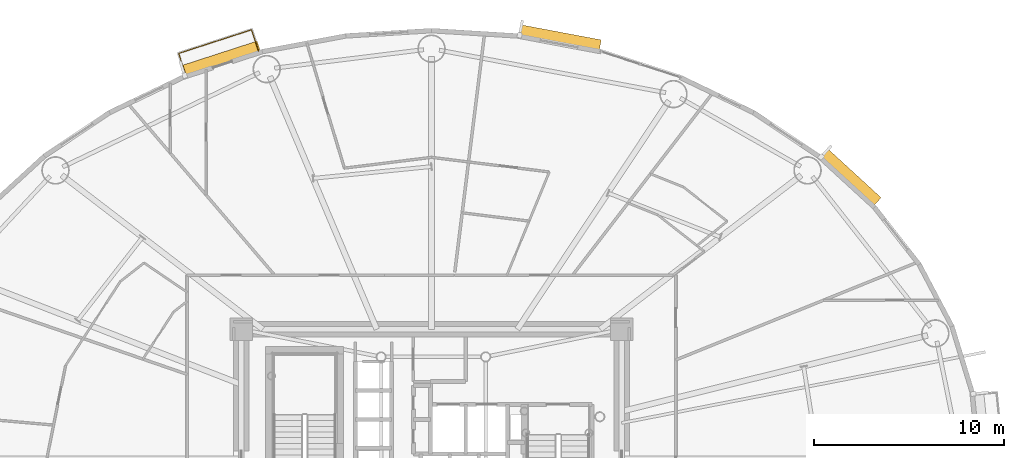
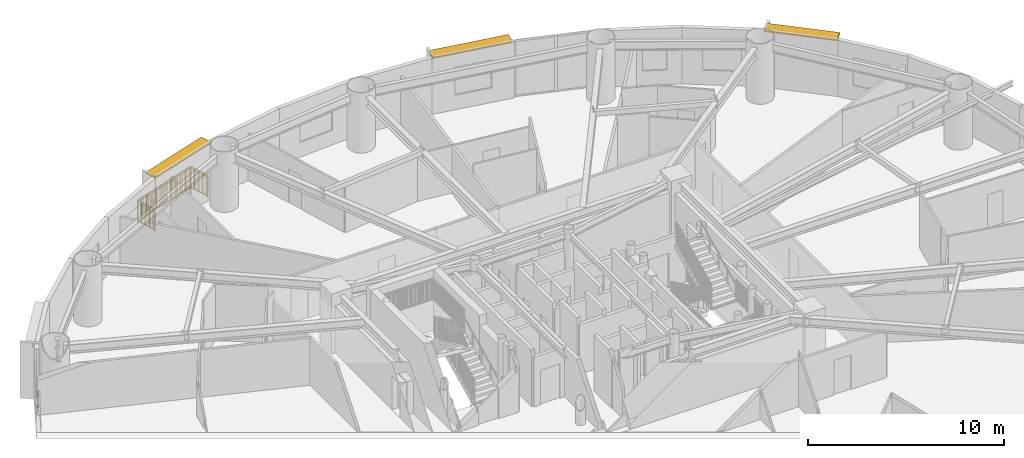
# One storey, part 21 of 21: 3 shading devices, 1 railing.
"""IFC4 building model written with IfcOpenShell, lengths in metres."""

import ifcopenshell
import ifcopenshell.guid

model = None  # the IFC model being written
_history = None  # IfcOwnerHistory: only IFC2X3 demands one
_inside = {}  # id of a spatial element -> (the spatial element, [elements in it])
_under = {}  # id of a project, library or spatial element -> (it, [spatial elements below it])
_declared = {}  # id of a project -> (the project, [libraries it declares])
_typed = {}  # id of a type object -> (the type object, [elements of that type])
_made_of = {}  # id of a material, layer set ... -> (it, [elements and type objects made of it])


def new_model(schema):
    """Start an empty IFC model of exactly this schema.

    Asked for "IFC4X3", IfcOpenShell would pick the latest addendum, in which some entities
    have other attributes; the version numbers below select the first issue.
    IFC2X3 requires an IfcOwnerHistory on every rooted entity: one is made here for all.
    """
    global model, _history
    if schema == "IFC4X3":
        model = ifcopenshell.file(schema_version=(4, 3, 0, 0))
    else:
        model = ifcopenshell.file(schema=schema)
    _inside.clear()
    _under.clear()
    _declared.clear()
    _typed.clear()
    _made_of.clear()
    _history = None
    if model.schema == "IFC2X3":
        org = make("IfcOrganization", Name="unknown")
        user = make(
            "IfcPersonAndOrganization",
            ThePerson=make("IfcPerson", FamilyName="unknown"),
            TheOrganization=org,
        )
        app = make(
            "IfcApplication",
            ApplicationDeveloper=org,
            Version="unknown",
            ApplicationFullName="unknown",
            ApplicationIdentifier="unknown",
        )
        _history = make(
            "IfcOwnerHistory",
            OwningUser=user,
            OwningApplication=app,
            ChangeAction="ADDED",
            CreationDate=0,
        )
    return model


def make(cls, **values):
    """One entity of the class cls with the attributes given. An attribute that is None is left unset."""
    return model.create_entity(
        cls, **{name: value for name, value in values.items() if value is not None}
    )


def rooted(cls, **values):
    """An entity with a GlobalId (a new one), such as an element, a storey or a relation."""
    return make(cls, GlobalId=ifcopenshell.guid.new(), OwnerHistory=_history, **values)


def si_unit(unit_type, name, prefix=None):
    """IfcSIUnit, for example si_unit("LENGTHUNIT", "METRE", prefix="MILLI")."""
    return make("IfcSIUnit", UnitType=unit_type, Prefix=prefix, Name=name)


def assignment(units):
    """IfcUnitAssignment: the units of a project."""
    return None if units is None else make("IfcUnitAssignment", Units=units)


def point(xyz):
    """IfcCartesianPoint."""
    return None if xyz is None else make("IfcCartesianPoint", Coordinates=xyz)


def direction(xyz):
    """IfcDirection."""
    return None if xyz is None else make("IfcDirection", DirectionRatios=xyz)


def frame(location, z_axis=None, x_axis=None):
    """IfcAxis2Placement3D, a coordinate frame: its origin and axes. An axis left out is left unset."""
    return make(
        "IfcAxis2Placement3D",
        Location=point(location),
        Axis=direction(z_axis),
        RefDirection=direction(x_axis),
    )


def frame_2d(location, x_axis=None):
    """IfcAxis2Placement2D, a coordinate frame in the plane: its origin and x axis."""
    return make(
        "IfcAxis2Placement2D", Location=point(location), RefDirection=direction(x_axis)
    )


def origin():
    """The frame at (0, 0, 0) with its axes left unset."""
    return frame((0.0, 0.0, 0.0))


def origin_2d():
    """The frame at (0, 0) in the plane with its x axis left unset."""
    return frame_2d((0.0, 0.0))


def place(relative_to, where):
    """IfcLocalPlacement: puts the frame where relative to a parent placement (None: the world)."""
    return make(
        "IfcLocalPlacement", PlacementRelTo=relative_to, RelativePlacement=where
    )


def context(
    kind, dimensions, precision=None, world=None, true_north=None, identifier=None
):
    """IfcGeometricRepresentationContext, for example the 3D "Model" context."""
    return make(
        "IfcGeometricRepresentationContext",
        ContextIdentifier=identifier,
        ContextType=kind,
        CoordinateSpaceDimension=dimensions,
        Precision=precision,
        WorldCoordinateSystem=world,
        TrueNorth=true_north,
    )


def subcontext(parent, identifier, kind, view, scale=None):
    """IfcGeometricRepresentationSubContext, for example "Body" below "Model"."""
    return make(
        "IfcGeometricRepresentationSubContext",
        ContextIdentifier=identifier,
        ContextType=kind,
        ParentContext=parent,
        TargetScale=scale,
        TargetView=view,
    )


def project(units=None, contexts=None):
    """IfcProject with its units and contexts."""
    return rooted(
        "IfcProject",
        Name="project",
        RepresentationContexts=contexts,
        UnitsInContext=assignment(units),
    )


def spatial(cls, under=None, at=None, **own):
    """A site, building, storey or space (cls), placed at a placement, below another one or the project."""
    s = rooted(cls, ObjectPlacement=at, **own)
    if under is not None:
        _under.setdefault(under.id(), (under, []))[1].append(s)
    return s


def profile(cls, at=None, kind="AREA", **sizes):
    """A parametric profile (cls). Its sizes go by their IFC names, for example OverallWidth=200.0."""
    return make(cls, ProfileType=kind, Position=at, **sizes)


def rectangle(**sizes):
    """IfcRectangleProfileDef."""
    return profile("IfcRectangleProfileDef", **sizes)


def extrude(swept, where, along, depth):
    """IfcExtrudedAreaSolid: the profile swept, set in the frame where, extruded along a direction by depth."""
    return make(
        "IfcExtrudedAreaSolid",
        SweptArea=swept,
        Position=where,
        ExtrudedDirection=direction(along),
        Depth=depth,
    )


def shape(context_of_items, identifier, shape_type, items):
    """IfcShapeRepresentation: the items that make up one representation, for example the "Body"."""
    return make(
        "IfcShapeRepresentation",
        ContextOfItems=context_of_items,
        RepresentationIdentifier=identifier,
        RepresentationType=shape_type,
        Items=items,
    )


def source(mapping_origin, context_of_items, identifier, shape_type, items):
    """IfcRepresentationMap: a shape defined once, which mapped items show again and again."""
    return make(
        "IfcRepresentationMap",
        MappingOrigin=mapping_origin,
        MappedRepresentation=shape(context_of_items, identifier, shape_type, items),
    )


def transform(
    local_origin,
    x_axis=None,
    y_axis=None,
    z_axis=None,
    scale=None,
    scale2=None,
    scale3=None,
    uniform=True,
):
    """IfcCartesianTransformationOperator3D, or its non-uniform kind. x_axis, y_axis, z_axis: its Axis1, 2, 3."""
    if uniform:
        return make(
            "IfcCartesianTransformationOperator3D",
            Axis1=direction(x_axis),
            Axis2=direction(y_axis),
            LocalOrigin=point(local_origin),
            Scale=scale,
            Axis3=direction(z_axis),
        )
    return make(
        "IfcCartesianTransformationOperator3DnonUniform",
        Axis1=direction(x_axis),
        Axis2=direction(y_axis),
        LocalOrigin=point(local_origin),
        Scale=scale,
        Axis3=direction(z_axis),
        Scale2=scale2,
        Scale3=scale3,
    )


def mapped(mapping_source, mapping_target):
    """IfcMappedItem: shows the shape of a source again, moved by a transform."""
    return make(
        "IfcMappedItem", MappingSource=mapping_source, MappingTarget=mapping_target
    )


def material(Name=None, Category=None):
    """IfcMaterial."""
    return make("IfcMaterial", Name=Name, Category=Category)


def layer(
    of_material, thickness, ventilated=None, Name=None, Category=None, Priority=None
):
    """IfcMaterialLayer: one layer of a wall or slab, of a material (None: an air gap)."""
    return make(
        "IfcMaterialLayer",
        Material=of_material,
        LayerThickness=thickness,
        IsVentilated=ventilated,
        Name=Name,
        Category=Category,
        Priority=Priority,
    )


def layer_set(layers, Name=None):
    """IfcMaterialLayerSet."""
    return make("IfcMaterialLayerSet", MaterialLayers=layers, LayerSetName=Name)


def made_of(thing, what):
    """Note that an element or type object is made of a material, layer set ...; save() writes the relation."""
    if what is not None:
        _made_of.setdefault(what.id(), (what, []))[1].append(thing)
    return thing


def type_object(cls, material=None, **own):
    """A type object (cls), such as IfcWallType, which elements share."""
    return made_of(rooted(cls, **own), material)


def element(
    cls,
    number,
    at=None,
    inside=None,
    cuts=None,
    type_object=None,
    material=None,
    context=None,
    identifier="Body",
    shape_type=None,
    held_by="IfcProductDefinitionShape",
    body=None,
    shapes=None,
    **own,
):
    """One element of the class cls, such as IfcWall. Its Tag is "e" and its number.

    at: its placement. inside: the storey or other place that contains it. cuts: it is an
    opening in that element (IfcRelVoidsElement). A single representation is given by context,
    identifier, shape_type and body (its items); several are given by shapes. held_by: the class
    of the entity that holds the representations. save() writes the other relations.
    """
    e = rooted(cls, Tag="e%d" % number, ObjectPlacement=at, **own)
    if body is not None:
        shapes = [shape(context, identifier, shape_type, body)]
    if shapes is not None:
        e.Representation = make(held_by, Representations=shapes)
    if inside is not None:
        _inside.setdefault(inside.id(), (inside, []))[1].append(e)
    if cuts is not None:
        rooted(
            "IfcRelVoidsElement", RelatingBuildingElement=cuts, RelatedOpeningElement=e
        )
    if type_object is not None:
        _typed.setdefault(type_object.id(), (type_object, []))[1].append(e)
    return made_of(e, material)


def aggregate(whole, parts):
    """IfcRelAggregates: a whole, such as a stair, and the parts it consists of."""
    return rooted("IfcRelAggregates", RelatingObject=whole, RelatedObjects=parts)


def save(model, path):
    """Write the relations noted so far, then the file.

    IfcRelAggregates (storeys below a building ...), IfcRelContainedInSpatialStructure (elements
    in a storey), IfcRelDefinesByType, IfcRelAssociatesMaterial and IfcRelDeclares: one each for
    every whole, place, type object, material and project.
    """
    for whole, parts in _under.values():
        aggregate(whole, parts)
    for where, things in _inside.values():
        rooted(
            "IfcRelContainedInSpatialStructure",
            RelatedElements=things,
            RelatingStructure=where,
        )
    for kind, things in _typed.values():
        rooted("IfcRelDefinesByType", RelatedObjects=things, RelatingType=kind)
    for what, things in _made_of.values():
        rooted("IfcRelAssociatesMaterial", RelatedObjects=things, RelatingMaterial=what)
    for by, libraries in _declared.values():
        rooted("IfcRelDeclares", RelatingContext=by, RelatedDefinitions=libraries)
    model.write(path)


model = new_model("IFC4")

# Units and contexts
model_context = context("Model", 3, precision=1e-05, world=origin(), true_north=direction((0.0, 1.0)))
body_context = subcontext(model_context, "Body", "Model", "MODEL_VIEW")
ifc_project = project(units=[si_unit("LENGTHUNIT", "METRE"), si_unit("AREAUNIT", "SQUARE_METRE"), si_unit("VOLUMEUNIT", "CUBIC_METRE"), si_unit("PLANEANGLEUNIT", "RADIAN"), si_unit("MASSUNIT", "GRAM", prefix="KILO")], contexts=[model_context])

# Site, building, storey
site_placement = place(None, origin())
site = spatial("IfcSite", under=ifc_project, at=site_placement, CompositionType="ELEMENT")
building_placement = place(site_placement, origin())
building = spatial("IfcBuilding", under=site, at=building_placement, Name="Linh Dai School and Residence Tower", CompositionType="ELEMENT")
storey_placement = place(building_placement, frame((0.0, 0.0, 97.199951171875)))
storey = spatial("IfcBuildingStorey", under=building, at=storey_placement, Name="L22", CompositionType="ELEMENT", Elevation=97.199951171875)

# Shading devices
ifc_material_1 = material(Name="Terracotta Ceramic Sunshade", Category="masonry")
ifc_layer = layer(ifc_material_1, 0.10009765625)
ifc_layer_set = layer_set([ifc_layer], Name="Terracotta Ceramic Sunshade")
shading_device_type = type_object("IfcShadingDeviceType", Name="SHD-TC-650", PredefinedType="USERDEFINED", material=ifc_layer_set)
shared_shape_1 = source(origin(), body_context, "Body", "SweptSolid", [
    extrude(rectangle(XDim=3.81689453125, YDim=0.64990234375, at=origin_2d()), origin(), (0.0, 0.0, 1.0), 0.10009765625),
])
shading_device_1_placement = place(storey_placement, frame((58.016357421875, 41.77001953125, 3.3798828125), z_axis=(0.0, 0.0, 1.0), x_axis=(0.737100266172, -0.675783395482, 0.0)))
element("IfcShadingDevice", 1, at=shading_device_1_placement, inside=storey, type_object=shading_device_type, Name="L22 Terracotta Horizontal Sunshade Band 05", ObjectType="SUNSHADE", PredefinedType="USERDEFINED", context=body_context, shape_type="MappedRepresentation", body=[
    mapped(shared_shape_1, transform((0.0, 0.0, 0.0), x_axis=(1.0, 0.0, 0.0), y_axis=(0.0, 1.0, 0.0), z_axis=(0.0, 0.0, 1.0), scale=1.0)),
])
shared_shape_2 = source(origin(), body_context, "Body", "SweptSolid", [
    extrude(rectangle(XDim=4.292236328125, YDim=0.64990234375, at=origin_2d()), origin(), (0.0, 0.0, 1.0), 0.10009765625),
])
shading_device_2_placement = place(storey_placement, frame((42.75537109375, 49.094482421875, 3.3798828125), z_axis=(0.0, 0.0, 1.0), x_axis=(0.982784673718, -0.18475466193, 0.0)))
element("IfcShadingDevice", 2, at=shading_device_2_placement, inside=storey, type_object=shading_device_type, Name="L22 Terracotta Horizontal Sunshade Band 09", ObjectType="SUNSHADE", PredefinedType="USERDEFINED", context=body_context, shape_type="MappedRepresentation", body=[
    mapped(shared_shape_2, transform((0.0, 0.0, 0.0), x_axis=(1.0, 0.0, 0.0), y_axis=(0.0, 1.0, 0.0), z_axis=(0.0, 0.0, 1.0), scale=1.0)),
])

# Railing
ifc_material_2 = material(Name="Structural Steel S355JR", Category="steel")
railing_type = type_object("IfcRailingType", Name="RL-BAL-1400", PredefinedType="BALUSTRADE", material=ifc_material_2)
shared_shape_3 = source(origin(), body_context, "Body", "SweptSolid", [
    extrude(rectangle(XDim=0.048095703125, YDim=0.048095703125, at=origin_2d()), frame((0.0, 0.0, 1.3759765625), z_axis=(-0.30851987862, 0.951217895383, 0.0), x_axis=(-0.951217895383, -0.30851987862, 0.0)), (0.0, 0.0, 1.0), 1.179931640625),
    extrude(rectangle(XDim=0.048095703125, YDim=0.048095703125, at=origin_2d()), frame((0.0, 0.0, 0.10009765625), z_axis=(-0.30851987862, 0.951217895383, 0.0), x_axis=(-0.951217895383, -0.30851987862, 0.0)), (0.0, 0.0, 1.0), 1.179931640625),
    extrude(rectangle(XDim=0.030029296875, YDim=0.030029296875, at=origin_2d()), frame((0.0, 0.0, 1.239990234375), z_axis=(-0.30851987862, 0.951217895383, 0.0), x_axis=(-0.951217895383, -0.30851987862, 0.0)), (0.0, 0.0, 1.0), 1.179931640625),
    extrude(rectangle(XDim=0.02001953125, YDim=0.02001953125, at=origin_2d()), frame((-0.028076171875, 0.08642578125, 0.10009765625)), (0.0, 0.0, 1.0), 1.251708984375),
    extrude(rectangle(XDim=0.02001953125, YDim=0.02001953125, at=origin_2d()), frame((-0.055908203125, 0.172607421875, 0.10009765625)), (0.0, 0.0, 1.0), 1.251708984375),
    extrude(rectangle(XDim=0.02001953125, YDim=0.02001953125, at=origin_2d()), frame((-0.083984375, 0.259033203125, 0.10009765625)), (0.0, 0.0, 1.0), 1.251708984375),
    extrude(rectangle(XDim=0.02001953125, YDim=0.02001953125, at=origin_2d()), frame((-0.112060546875, 0.34521484375, 0.10009765625)), (0.0, 0.0, 1.0), 1.251708984375),
    extrude(rectangle(XDim=0.02001953125, YDim=0.02001953125, at=origin_2d()), frame((-0.139892578125, 0.431640625, 0.10009765625)), (0.0, 0.0, 1.0), 1.251708984375),
    extrude(rectangle(XDim=0.02001953125, YDim=0.02001953125, at=origin_2d()), frame((-0.16796875, 0.51806640625, 0.10009765625)), (0.0, 0.0, 1.0), 1.251708984375),
    extrude(rectangle(XDim=0.02001953125, YDim=0.02001953125, at=origin_2d()), frame((-0.196044921875, 0.604248046875, 0.10009765625)), (0.0, 0.0, 1.0), 1.251708984375),
    extrude(rectangle(XDim=0.02001953125, YDim=0.02001953125, at=origin_2d()), frame((-0.22412109375, 0.690673828125, 0.10009765625)), (0.0, 0.0, 1.0), 1.251708984375),
    extrude(rectangle(XDim=0.02001953125, YDim=0.02001953125, at=origin_2d()), frame((-0.251953125, 0.777099609375, 0.10009765625)), (0.0, 0.0, 1.0), 1.251708984375),
    extrude(rectangle(XDim=0.02001953125, YDim=0.02001953125, at=origin_2d()), frame((-0.280029296875, 0.86328125, 0.10009765625)), (0.0, 0.0, 1.0), 1.251708984375),
    extrude(rectangle(XDim=0.02001953125, YDim=0.02001953125, at=origin_2d()), frame((-0.30810546875, 0.94970703125, 0.10009765625)), (0.0, 0.0, 1.0), 1.251708984375),
    extrude(rectangle(XDim=0.02001953125, YDim=0.02001953125, at=origin_2d()), frame((-0.3359375, 1.035888671875, 0.10009765625)), (0.0, 0.0, 1.0), 1.251708984375),
    extrude(rectangle(XDim=0.048095703125, YDim=0.048095703125, at=origin_2d()), frame((-0.364013671875, 1.122314453125, 1.3759765625), z_axis=(0.951209839709, 0.308544714492, 0.0), x_axis=(-0.308544714492, 0.951209839709, 0.0)), (0.0, 0.0, 1.0), 4.0283203125),
    extrude(rectangle(XDim=0.048095703125, YDim=0.048095703125, at=origin_2d()), frame((-0.364013671875, 1.122314453125, 0.10009765625), z_axis=(0.951209839709, 0.308544714492, 0.0), x_axis=(-0.308544714492, 0.951209839709, 0.0)), (0.0, 0.0, 1.0), 4.0283203125),
    extrude(rectangle(XDim=0.030029296875, YDim=0.030029296875, at=origin_2d()), frame((-0.364013671875, 1.122314453125, 1.239990234375), z_axis=(0.951209839709, 0.308544714492, 0.0), x_axis=(-0.308544714492, 0.951209839709, 0.0)), (0.0, 0.0, 1.0), 4.0283203125),
    extrude(rectangle(XDim=0.02001953125, YDim=0.02001953125, at=origin_2d()), frame((-0.272705078125, 1.15185546875, 0.10009765625)), (0.0, 0.0, 1.0), 1.251708984375),
    extrude(rectangle(XDim=0.02001953125, YDim=0.02001953125, at=origin_2d()), frame((-0.181640625, 1.181396484375, 0.10009765625)), (0.0, 0.0, 1.0), 1.251708984375),
    extrude(rectangle(XDim=0.02001953125, YDim=0.02001953125, at=origin_2d()), frame((-0.09033203125, 1.211181640625, 0.10009765625)), (0.0, 0.0, 1.0), 1.251708984375),
    extrude(rectangle(XDim=0.02001953125, YDim=0.02001953125, at=origin_2d()), frame((0.0009765625, 1.24072265625, 0.10009765625)), (0.0, 0.0, 1.0), 1.251708984375),
    extrude(rectangle(XDim=0.02001953125, YDim=0.02001953125, at=origin_2d()), frame((0.092041015625, 1.270263671875, 0.10009765625)), (0.0, 0.0, 1.0), 1.251708984375),
    extrude(rectangle(XDim=0.02001953125, YDim=0.02001953125, at=origin_2d()), frame((0.183349609375, 1.2998046875, 0.10009765625)), (0.0, 0.0, 1.0), 1.251708984375),
    extrude(rectangle(XDim=0.02001953125, YDim=0.02001953125, at=origin_2d()), frame((0.274658203125, 1.32958984375, 0.10009765625)), (0.0, 0.0, 1.0), 1.251708984375),
    extrude(rectangle(XDim=0.02001953125, YDim=0.02001953125, at=origin_2d()), frame((0.365966796875, 1.359130859375, 0.10009765625)), (0.0, 0.0, 1.0), 1.251708984375),
    extrude(rectangle(XDim=0.02001953125, YDim=0.02001953125, at=origin_2d()), frame((0.45703125, 1.388671875, 0.10009765625)), (0.0, 0.0, 1.0), 1.251708984375),
    extrude(rectangle(XDim=0.02001953125, YDim=0.02001953125, at=origin_2d()), frame((0.54833984375, 1.418212890625, 0.10009765625)), (0.0, 0.0, 1.0), 1.251708984375),
    extrude(rectangle(XDim=0.02001953125, YDim=0.02001953125, at=origin_2d()), frame((0.6396484375, 1.44775390625, 0.10009765625)), (0.0, 0.0, 1.0), 1.251708984375),
    extrude(rectangle(XDim=0.02001953125, YDim=0.02001953125, at=origin_2d()), frame((0.730712890625, 1.4775390625, 0.10009765625)), (0.0, 0.0, 1.0), 1.251708984375),
    extrude(rectangle(XDim=0.02001953125, YDim=0.02001953125, at=origin_2d()), frame((0.822021484375, 1.507080078125, 0.10009765625)), (0.0, 0.0, 1.0), 1.251708984375),
    extrude(rectangle(XDim=0.02001953125, YDim=0.02001953125, at=origin_2d()), frame((0.913330078125, 1.53662109375, 0.10009765625)), (0.0, 0.0, 1.0), 1.251708984375),
    extrude(rectangle(XDim=0.02001953125, YDim=0.02001953125, at=origin_2d()), frame((1.00439453125, 1.566162109375, 0.10009765625)), (0.0, 0.0, 1.0), 1.251708984375),
    extrude(rectangle(XDim=0.02001953125, YDim=0.02001953125, at=origin_2d()), frame((1.095703125, 1.595703125, 0.10009765625)), (0.0, 0.0, 1.0), 1.251708984375),
    extrude(rectangle(XDim=0.02001953125, YDim=0.02001953125, at=origin_2d()), frame((1.18701171875, 1.62548828125, 0.10009765625)), (0.0, 0.0, 1.0), 1.251708984375),
    extrude(rectangle(XDim=0.02001953125, YDim=0.02001953125, at=origin_2d()), frame((1.278076171875, 1.655029296875, 0.10009765625)), (0.0, 0.0, 1.0), 1.251708984375),
    extrude(rectangle(XDim=0.02001953125, YDim=0.02001953125, at=origin_2d()), frame((1.369384765625, 1.6845703125, 0.10009765625)), (0.0, 0.0, 1.0), 1.251708984375),
    extrude(rectangle(XDim=0.02001953125, YDim=0.02001953125, at=origin_2d()), frame((1.460693359375, 1.714111328125, 0.10009765625)), (0.0, 0.0, 1.0), 1.251708984375),
    extrude(rectangle(XDim=0.02001953125, YDim=0.02001953125, at=origin_2d()), frame((1.64306640625, 1.7734375, 0.10009765625)), (0.0, 0.0, 1.0), 1.251708984375),
    extrude(rectangle(XDim=0.02001953125, YDim=0.02001953125, at=origin_2d()), frame((1.734375, 1.802978515625, 0.10009765625)), (0.0, 0.0, 1.0), 1.251708984375),
    extrude(rectangle(XDim=0.02001953125, YDim=0.02001953125, at=origin_2d()), frame((1.82568359375, 1.83251953125, 0.10009765625)), (0.0, 0.0, 1.0), 1.251708984375),
    extrude(rectangle(XDim=0.02001953125, YDim=0.02001953125, at=origin_2d()), frame((1.916748046875, 1.862060546875, 0.10009765625)), (0.0, 0.0, 1.0), 1.251708984375),
    extrude(rectangle(XDim=0.02001953125, YDim=0.02001953125, at=origin_2d()), frame((2.008056640625, 1.891845703125, 0.10009765625)), (0.0, 0.0, 1.0), 1.251708984375),
    extrude(rectangle(XDim=0.02001953125, YDim=0.02001953125, at=origin_2d()), frame((2.099365234375, 1.92138671875, 0.10009765625)), (0.0, 0.0, 1.0), 1.251708984375),
    extrude(rectangle(XDim=0.02001953125, YDim=0.02001953125, at=origin_2d()), frame((2.1904296875, 1.950927734375, 0.10009765625)), (0.0, 0.0, 1.0), 1.251708984375),
    extrude(rectangle(XDim=0.02001953125, YDim=0.02001953125, at=origin_2d()), frame((2.28173828125, 1.98046875, 0.10009765625)), (0.0, 0.0, 1.0), 1.251708984375),
    extrude(rectangle(XDim=0.02001953125, YDim=0.02001953125, at=origin_2d()), frame((2.373046875, 2.010009765625, 0.10009765625)), (0.0, 0.0, 1.0), 1.251708984375),
    extrude(rectangle(XDim=0.02001953125, YDim=0.02001953125, at=origin_2d()), frame((2.464111328125, 2.039794921875, 0.10009765625)), (0.0, 0.0, 1.0), 1.251708984375),
    extrude(rectangle(XDim=0.02001953125, YDim=0.02001953125, at=origin_2d()), frame((2.555419921875, 2.0693359375, 0.10009765625)), (0.0, 0.0, 1.0), 1.251708984375),
    extrude(rectangle(XDim=0.02001953125, YDim=0.02001953125, at=origin_2d()), frame((2.646728515625, 2.098876953125, 0.10009765625)), (0.0, 0.0, 1.0), 1.251708984375),
    extrude(rectangle(XDim=0.02001953125, YDim=0.02001953125, at=origin_2d()), frame((2.73779296875, 2.12841796875, 0.10009765625)), (0.0, 0.0, 1.0), 1.251708984375),
    extrude(rectangle(XDim=0.02001953125, YDim=0.02001953125, at=origin_2d()), frame((2.8291015625, 2.158203125, 0.10009765625)), (0.0, 0.0, 1.0), 1.251708984375),
    extrude(rectangle(XDim=0.02001953125, YDim=0.02001953125, at=origin_2d()), frame((2.92041015625, 2.187744140625, 0.10009765625)), (0.0, 0.0, 1.0), 1.251708984375),
    extrude(rectangle(XDim=0.02001953125, YDim=0.02001953125, at=origin_2d()), frame((3.01171875, 2.21728515625, 0.10009765625)), (0.0, 0.0, 1.0), 1.251708984375),
    extrude(rectangle(XDim=0.02001953125, YDim=0.02001953125, at=origin_2d()), frame((3.102783203125, 2.246826171875, 0.10009765625)), (0.0, 0.0, 1.0), 1.251708984375),
    extrude(rectangle(XDim=0.02001953125, YDim=0.02001953125, at=origin_2d()), frame((3.194091796875, 2.2763671875, 0.10009765625)), (0.0, 0.0, 1.0), 1.251708984375),
    extrude(rectangle(XDim=0.02001953125, YDim=0.02001953125, at=origin_2d()), frame((3.285400390625, 2.30615234375, 0.10009765625)), (0.0, 0.0, 1.0), 1.251708984375),
    extrude(rectangle(XDim=0.02001953125, YDim=0.02001953125, at=origin_2d()), frame((3.37646484375, 2.335693359375, 0.10009765625)), (0.0, 0.0, 1.0), 1.251708984375),
    extrude(rectangle(XDim=0.048095703125, YDim=0.048095703125, at=origin_2d()), frame((3.4677734375, 2.365234375, 1.3759765625), z_axis=(0.308459164781, -0.951237585287, 0.0), x_axis=(0.951237585287, 0.308459164781, 0.0)), (0.0, 0.0, 1.0), 1.18017578125),
    extrude(rectangle(XDim=0.048095703125, YDim=0.048095703125, at=origin_2d()), frame((3.4677734375, 2.365234375, 0.10009765625), z_axis=(0.308459164781, -0.951237585287, 0.0), x_axis=(0.951237585287, 0.308459164781, 0.0)), (0.0, 0.0, 1.0), 1.18017578125),
    extrude(rectangle(XDim=0.030029296875, YDim=0.030029296875, at=origin_2d()), frame((3.4677734375, 2.365234375, 1.239990234375), z_axis=(0.308459164781, -0.951237585287, 0.0), x_axis=(0.951237585287, 0.308459164781, 0.0)), (0.0, 0.0, 1.0), 1.18017578125),
    extrude(rectangle(XDim=0.02001953125, YDim=0.02001953125, at=origin_2d()), frame((3.495849609375, 2.27880859375, 0.10009765625)), (0.0, 0.0, 1.0), 1.251708984375),
    extrude(rectangle(XDim=0.02001953125, YDim=0.02001953125, at=origin_2d()), frame((3.523681640625, 2.192626953125, 0.10009765625)), (0.0, 0.0, 1.0), 1.251708984375),
    extrude(rectangle(XDim=0.02001953125, YDim=0.02001953125, at=origin_2d()), frame((3.5517578125, 2.106201171875, 0.10009765625)), (0.0, 0.0, 1.0), 1.251708984375),
    extrude(rectangle(XDim=0.02001953125, YDim=0.02001953125, at=origin_2d()), frame((3.579833984375, 2.019775390625, 0.10009765625)), (0.0, 0.0, 1.0), 1.251708984375),
    extrude(rectangle(XDim=0.02001953125, YDim=0.02001953125, at=origin_2d()), frame((3.607666015625, 1.93359375, 0.10009765625)), (0.0, 0.0, 1.0), 1.251708984375),
    extrude(rectangle(XDim=0.02001953125, YDim=0.02001953125, at=origin_2d()), frame((3.6357421875, 1.84716796875, 0.10009765625)), (0.0, 0.0, 1.0), 1.251708984375),
    extrude(rectangle(XDim=0.02001953125, YDim=0.02001953125, at=origin_2d()), frame((3.663818359375, 1.7607421875, 0.10009765625)), (0.0, 0.0, 1.0), 1.251708984375),
    extrude(rectangle(XDim=0.02001953125, YDim=0.02001953125, at=origin_2d()), frame((3.69189453125, 1.67431640625, 0.10009765625)), (0.0, 0.0, 1.0), 1.251708984375),
    extrude(rectangle(XDim=0.02001953125, YDim=0.02001953125, at=origin_2d()), frame((3.7197265625, 1.588134765625, 0.10009765625)), (0.0, 0.0, 1.0), 1.251708984375),
    extrude(rectangle(XDim=0.02001953125, YDim=0.02001953125, at=origin_2d()), frame((3.747802734375, 1.501708984375, 0.10009765625)), (0.0, 0.0, 1.0), 1.251708984375),
    extrude(rectangle(XDim=0.02001953125, YDim=0.02001953125, at=origin_2d()), frame((3.77587890625, 1.415283203125, 0.10009765625)), (0.0, 0.0, 1.0), 1.251708984375),
    extrude(rectangle(XDim=0.02001953125, YDim=0.02001953125, at=origin_2d()), frame((3.8037109375, 1.3291015625, 0.10009765625)), (0.0, 0.0, 1.0), 1.251708984375),
    extrude(rectangle(XDim=0.0419921875, YDim=0.0419921875, at=origin_2d()), origin(), (0.0, 0.0, 1.0), 1.3759765625),
    extrude(rectangle(XDim=0.0419921875, YDim=0.0419921875, at=origin_2d()), frame((-0.364013671875, 1.122314453125, 0.0)), (0.0, 0.0, 1.0), 1.3759765625),
    extrude(rectangle(XDim=0.0419921875, YDim=0.0419921875, at=origin_2d()), frame((0.593994140625, 1.43310546875, 0.0)), (0.0, 0.0, 1.0), 1.3759765625),
    extrude(rectangle(XDim=0.0419921875, YDim=0.0419921875, at=origin_2d()), frame((1.5517578125, 1.74365234375, 0.0)), (0.0, 0.0, 1.0), 1.3759765625),
    extrude(rectangle(XDim=0.0419921875, YDim=0.0419921875, at=origin_2d()), frame((2.509765625, 2.054443359375, 0.0)), (0.0, 0.0, 1.0), 1.3759765625),
    extrude(rectangle(XDim=0.0419921875, YDim=0.0419921875, at=origin_2d()), frame((3.4677734375, 2.365234375, 0.0)), (0.0, 0.0, 1.0), 1.3759765625),
    extrude(rectangle(XDim=0.0419921875, YDim=0.0419921875, at=origin_2d()), frame((3.831787109375, 1.24267578125, 0.0)), (0.0, 0.0, 1.0), 1.3759765625),
])
railing_placement = place(storey_placement, frame((23.071044921875, 47.183837890625, 0.0)))
element("IfcRailing", 3, at=railing_placement, inside=storey, type_object=railing_type, Name="L22 Balcony Safety Balustrade 13", PredefinedType="BALUSTRADE", context=body_context, shape_type="MappedRepresentation", body=[
    mapped(shared_shape_3, transform((0.0, 0.0, 0.0), x_axis=(1.0, 0.0, 0.0), y_axis=(0.0, 1.0, 0.0), z_axis=(0.0, 0.0, 1.0), scale=1.0)),
])

# Shading device
shared_shape_4 = source(origin(), body_context, "Body", "SweptSolid", [
    extrude(rectangle(XDim=4.212890625, YDim=0.64990234375, at=origin_2d()), origin(), (0.0, 0.0, 1.0), 0.10009765625),
])
shading_device_3_placement = place(storey_placement, frame((24.92529296875, 47.995361328125, 3.3798828125), z_axis=(0.0, 0.0, 1.0), x_axis=(0.951217089442, 0.308522363457, 0.0)))
element("IfcShadingDevice", 4, at=shading_device_3_placement, inside=storey, type_object=shading_device_type, Name="L22 Terracotta Horizontal Sunshade Band 13", ObjectType="SUNSHADE", PredefinedType="USERDEFINED", context=body_context, shape_type="MappedRepresentation", body=[
    mapped(shared_shape_4, transform((0.0, 0.0, 0.0), x_axis=(1.0, 0.0, 0.0), y_axis=(0.0, 1.0, 0.0), z_axis=(0.0, 0.0, 1.0), scale=1.0)),
])

save(model, "model.ifc")
